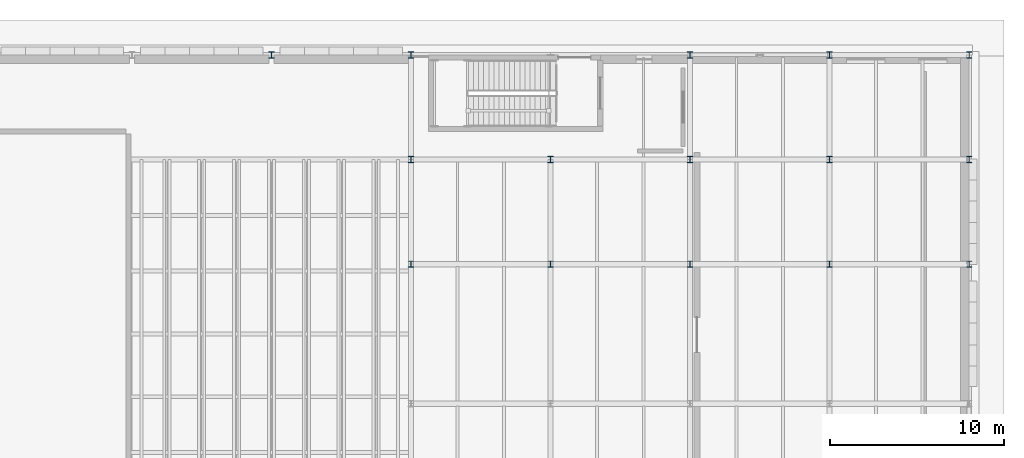
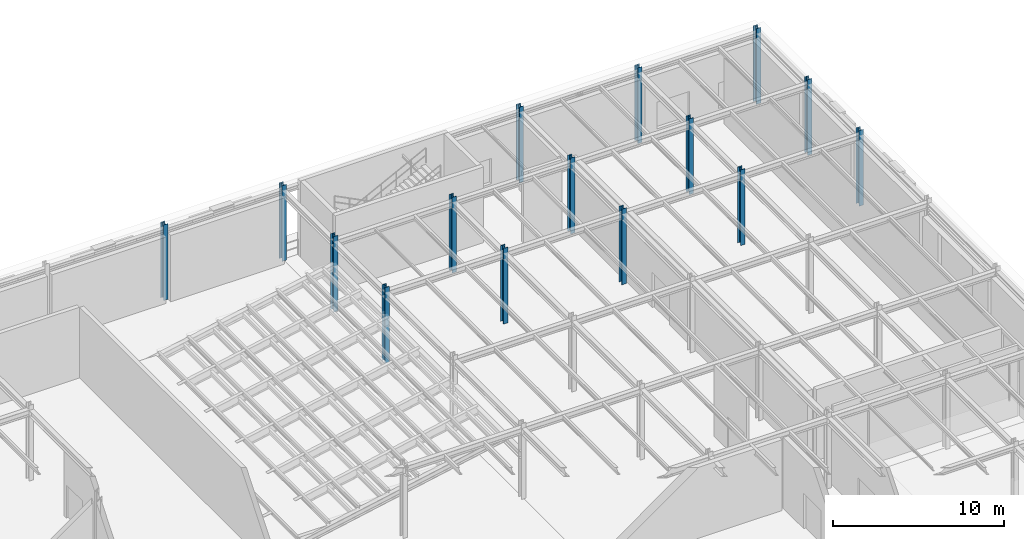
# One storey, part 23 of 129: 15 columns.
"""IFC4 building model written with IfcOpenShell, lengths in metres."""

from ifc_helpers import new_model, si_unit, direction, frame, origin, origin_2d, place, context, subcontext, project, spatial, i_section, extrude, material, material_profile, profile_set, type_object, element, save


model = new_model("IFC4")

# Units and contexts
model_context = context("Model", 3, precision=1e-05, world=origin(), true_north=direction((0.0, 1.0)))
body_context = subcontext(model_context, "Body", "Model", "MODEL_VIEW")
ifc_project = project(units=[si_unit("LENGTHUNIT", "METRE"), si_unit("AREAUNIT", "SQUARE_METRE"), si_unit("VOLUMEUNIT", "CUBIC_METRE"), si_unit("PLANEANGLEUNIT", "RADIAN"), si_unit("MASSUNIT", "GRAM", prefix="KILO")], contexts=[model_context])

# Site, building, storey
site_placement = place(None, origin())
site = spatial("IfcSite", under=ifc_project, at=site_placement, CompositionType="ELEMENT")
building_placement = place(site_placement, origin())
building = spatial("IfcBuilding", under=site, at=building_placement, Name="Sundkrona Museum", CompositionType="ELEMENT")
storey_placement = place(building_placement, origin())
storey = spatial("IfcBuildingStorey", under=building, at=storey_placement, Name="L00", CompositionType="ELEMENT", Elevation=0.0)

# Columns
ifc_material = material(Name="Steel S355J2", Category="steel")
ifc_material_profile = material_profile(ifc_material, i_section(OverallWidth=0.300048828125, OverallDepth=0.360107421875, WebThickness=0.012451171875, FlangeThickness=0.0224609375, FilletRadius=0.027099609375, at=origin_2d()), Name="HEB 360")
ifc_profile_set = profile_set([ifc_material_profile], Name="Steel S355J2")
column_type = type_object("IfcColumnType", Name="C-HEB360", PredefinedType="COLUMN", material=ifc_profile_set)
for number, where, z_axis, x_axis, name in (
    (1, (128.0, 114.0, 0.0), (0.0, 0.0, 1.0), (1.0, 0.0, 0.0), "L00 Column R/17"),
    (2, (136.0, 102.0, 0.0), (0.0, 0.0, 1.0), (1.0, 0.0, 0.0), "L00 Column P/18"),
    (3, (136.0, 108.0, 0.0), (0.0, 0.0, 1.0), (1.0, 0.0, 0.0), "L00 Column Q/18"),
    (4, (136.0, 114.0, 0.0), (0.0, 0.0, 1.0), (1.0, 0.0, 0.0), "L00 Column R/18"),
    (5, (144.0, 102.0, 0.0), (0.0, 0.0, 1.0), (1.0, 0.0, 0.0), "L00 Column P/19"),
    (6, (144.0, 108.0, 0.0), (0.0, 0.0, 1.0), (1.0, 0.0, 0.0), "L00 Column Q/19"),
    (7, (152.0, 102.0, 0.0), (0.0, 0.0, 1.0), (1.0, 0.0, 0.0), "L00 Column P/20"),
    (8, (152.0, 108.0, 0.0), (0.0, 0.0, 1.0), (1.0, 0.0, 0.0), "L00 Column Q/20"),
    (9, (152.0, 114.0, 0.0), (0.0, 0.0, 1.0), (1.0, 0.0, 0.0), "L00 Column R/20"),
    (10, (160.0, 102.0, 0.0), (0.0, 0.0, 1.0), (1.0, 0.0, 0.0), "L00 Column P/21"),
    (11, (160.0, 108.0, 0.0), (0.0, 0.0, 1.0), (1.0, 0.0, 0.0), "L00 Column Q/21"),
    (12, (160.0, 114.0, 0.0), (0.0, 0.0, 1.0), (1.0, 0.0, 0.0), "L00 Column R/21"),
    (13, (168.0, 102.0, 0.0), (0.0, 0.0, 1.0), (1.0, 0.0, 0.0), "L00 Column P/22"),
    (14, (168.0, 108.0, 0.0), (0.0, 0.0, 1.0), (1.0, 0.0, 0.0), "L00 Column Q/22"),
    (15, (168.0, 114.0, 0.0), (0.0, 0.0, 1.0), (1.0, 0.0, 0.0), "L00 Column R/22"),
):
    element("IfcColumn", number, at=place(storey_placement, frame(where, z_axis=z_axis, x_axis=x_axis)), inside=storey, type_object=column_type, Name=name, PredefinedType="COLUMN", context=body_context, shape_type="SweptSolid", body=[
        extrude(i_section(OverallWidth=0.300048828125, OverallDepth=0.360107421875, WebThickness=0.012451171875, FlangeThickness=0.0224609375, FilletRadius=0.027099609375, at=origin_2d()), origin(), (0.0, 0.0, 1.0), 5.39990234375),
    ])

save(model, "model.ifc")
